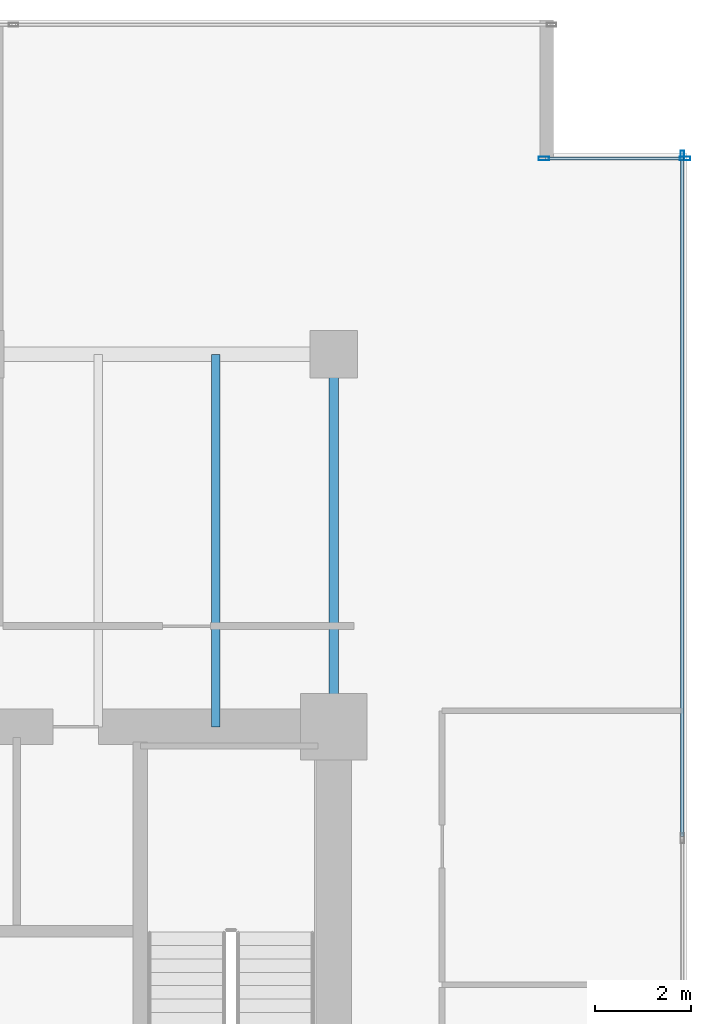
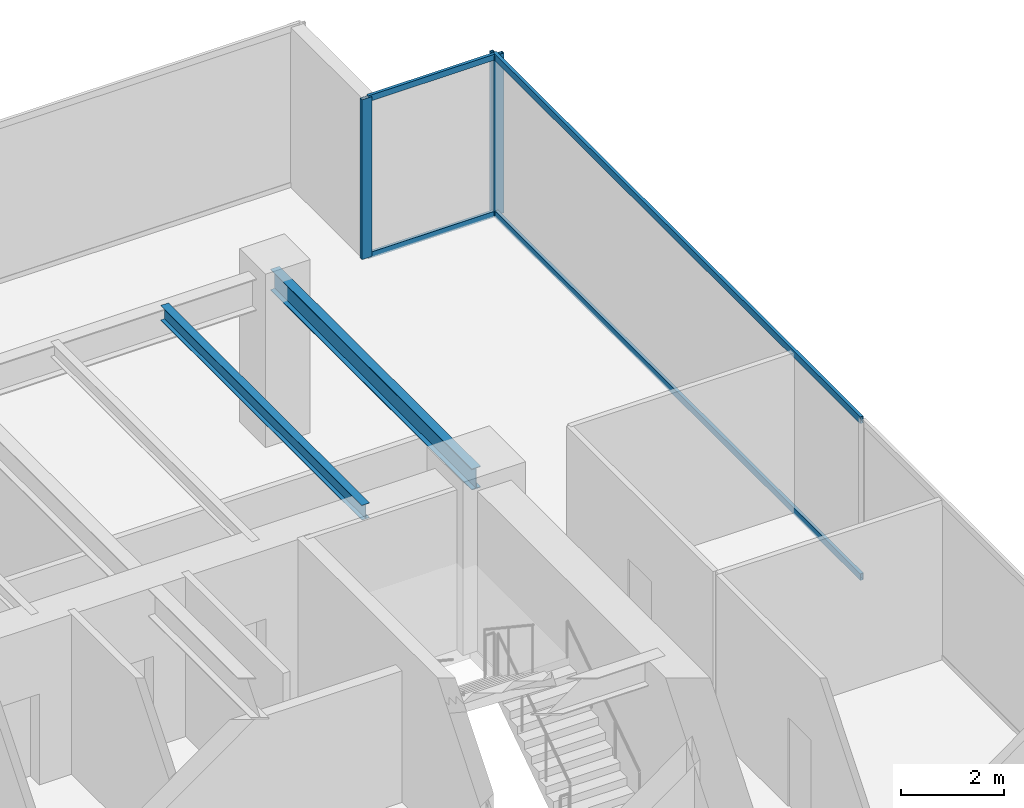
# One storey, part 26 of 35: 7 members, 2 beams, 2 elements without a shape of their own.
"""IFC4 building model written with IfcOpenShell, lengths in metres."""

import ifcopenshell
import ifcopenshell.guid

model = None  # the IFC model being written
_history = None  # IfcOwnerHistory: only IFC2X3 demands one
_inside = {}  # id of a spatial element -> (the spatial element, [elements in it])
_under = {}  # id of a project, library or spatial element -> (it, [spatial elements below it])
_declared = {}  # id of a project -> (the project, [libraries it declares])
_typed = {}  # id of a type object -> (the type object, [elements of that type])
_made_of = {}  # id of a material, layer set ... -> (it, [elements and type objects made of it])


def new_model(schema):
    """Start an empty IFC model of exactly this schema.

    Asked for "IFC4X3", IfcOpenShell would pick the latest addendum, in which some entities
    have other attributes; the version numbers below select the first issue.
    IFC2X3 requires an IfcOwnerHistory on every rooted entity: one is made here for all.
    """
    global model, _history
    if schema == "IFC4X3":
        model = ifcopenshell.file(schema_version=(4, 3, 0, 0))
    else:
        model = ifcopenshell.file(schema=schema)
    _inside.clear()
    _under.clear()
    _declared.clear()
    _typed.clear()
    _made_of.clear()
    _history = None
    if model.schema == "IFC2X3":
        org = make("IfcOrganization", Name="unknown")
        user = make(
            "IfcPersonAndOrganization",
            ThePerson=make("IfcPerson", FamilyName="unknown"),
            TheOrganization=org,
        )
        app = make(
            "IfcApplication",
            ApplicationDeveloper=org,
            Version="unknown",
            ApplicationFullName="unknown",
            ApplicationIdentifier="unknown",
        )
        _history = make(
            "IfcOwnerHistory",
            OwningUser=user,
            OwningApplication=app,
            ChangeAction="ADDED",
            CreationDate=0,
        )
    return model


def make(cls, **values):
    """One entity of the class cls with the attributes given. An attribute that is None is left unset."""
    return model.create_entity(
        cls, **{name: value for name, value in values.items() if value is not None}
    )


def rooted(cls, **values):
    """An entity with a GlobalId (a new one), such as an element, a storey or a relation."""
    return make(cls, GlobalId=ifcopenshell.guid.new(), OwnerHistory=_history, **values)


def si_unit(unit_type, name, prefix=None):
    """IfcSIUnit, for example si_unit("LENGTHUNIT", "METRE", prefix="MILLI")."""
    return make("IfcSIUnit", UnitType=unit_type, Prefix=prefix, Name=name)


def assignment(units):
    """IfcUnitAssignment: the units of a project."""
    return None if units is None else make("IfcUnitAssignment", Units=units)


def point(xyz):
    """IfcCartesianPoint."""
    return None if xyz is None else make("IfcCartesianPoint", Coordinates=xyz)


def direction(xyz):
    """IfcDirection."""
    return None if xyz is None else make("IfcDirection", DirectionRatios=xyz)


def frame(location, z_axis=None, x_axis=None):
    """IfcAxis2Placement3D, a coordinate frame: its origin and axes. An axis left out is left unset."""
    return make(
        "IfcAxis2Placement3D",
        Location=point(location),
        Axis=direction(z_axis),
        RefDirection=direction(x_axis),
    )


def frame_2d(location, x_axis=None):
    """IfcAxis2Placement2D, a coordinate frame in the plane: its origin and x axis."""
    return make(
        "IfcAxis2Placement2D", Location=point(location), RefDirection=direction(x_axis)
    )


def origin():
    """The frame at (0, 0, 0) with its axes left unset."""
    return frame((0.0, 0.0, 0.0))


def origin_2d():
    """The frame at (0, 0) in the plane with its x axis left unset."""
    return frame_2d((0.0, 0.0))


def place(relative_to, where):
    """IfcLocalPlacement: puts the frame where relative to a parent placement (None: the world)."""
    return make(
        "IfcLocalPlacement", PlacementRelTo=relative_to, RelativePlacement=where
    )


def context(
    kind, dimensions, precision=None, world=None, true_north=None, identifier=None
):
    """IfcGeometricRepresentationContext, for example the 3D "Model" context."""
    return make(
        "IfcGeometricRepresentationContext",
        ContextIdentifier=identifier,
        ContextType=kind,
        CoordinateSpaceDimension=dimensions,
        Precision=precision,
        WorldCoordinateSystem=world,
        TrueNorth=true_north,
    )


def subcontext(parent, identifier, kind, view, scale=None):
    """IfcGeometricRepresentationSubContext, for example "Body" below "Model"."""
    return make(
        "IfcGeometricRepresentationSubContext",
        ContextIdentifier=identifier,
        ContextType=kind,
        ParentContext=parent,
        TargetScale=scale,
        TargetView=view,
    )


def project(units=None, contexts=None):
    """IfcProject with its units and contexts."""
    return rooted(
        "IfcProject",
        Name="project",
        RepresentationContexts=contexts,
        UnitsInContext=assignment(units),
    )


def spatial(cls, under=None, at=None, **own):
    """A site, building, storey or space (cls), placed at a placement, below another one or the project."""
    s = rooted(cls, ObjectPlacement=at, **own)
    if under is not None:
        _under.setdefault(under.id(), (under, []))[1].append(s)
    return s


def profile(cls, at=None, kind="AREA", **sizes):
    """A parametric profile (cls). Its sizes go by their IFC names, for example OverallWidth=200.0."""
    return make(cls, ProfileType=kind, Position=at, **sizes)


def hollow_rectangle(**sizes):
    """IfcRectangleHollowProfileDef."""
    return profile("IfcRectangleHollowProfileDef", **sizes)


def i_section(**sizes):
    """IfcIShapeProfileDef."""
    return profile("IfcIShapeProfileDef", **sizes)


def extrude(swept, where, along, depth):
    """IfcExtrudedAreaSolid: the profile swept, set in the frame where, extruded along a direction by depth."""
    return make(
        "IfcExtrudedAreaSolid",
        SweptArea=swept,
        Position=where,
        ExtrudedDirection=direction(along),
        Depth=depth,
    )


def shape(context_of_items, identifier, shape_type, items):
    """IfcShapeRepresentation: the items that make up one representation, for example the "Body"."""
    return make(
        "IfcShapeRepresentation",
        ContextOfItems=context_of_items,
        RepresentationIdentifier=identifier,
        RepresentationType=shape_type,
        Items=items,
    )


def source(mapping_origin, context_of_items, identifier, shape_type, items):
    """IfcRepresentationMap: a shape defined once, which mapped items show again and again."""
    return make(
        "IfcRepresentationMap",
        MappingOrigin=mapping_origin,
        MappedRepresentation=shape(context_of_items, identifier, shape_type, items),
    )


def transform(
    local_origin,
    x_axis=None,
    y_axis=None,
    z_axis=None,
    scale=None,
    scale2=None,
    scale3=None,
    uniform=True,
):
    """IfcCartesianTransformationOperator3D, or its non-uniform kind. x_axis, y_axis, z_axis: its Axis1, 2, 3."""
    if uniform:
        return make(
            "IfcCartesianTransformationOperator3D",
            Axis1=direction(x_axis),
            Axis2=direction(y_axis),
            LocalOrigin=point(local_origin),
            Scale=scale,
            Axis3=direction(z_axis),
        )
    return make(
        "IfcCartesianTransformationOperator3DnonUniform",
        Axis1=direction(x_axis),
        Axis2=direction(y_axis),
        LocalOrigin=point(local_origin),
        Scale=scale,
        Axis3=direction(z_axis),
        Scale2=scale2,
        Scale3=scale3,
    )


def mapped(mapping_source, mapping_target):
    """IfcMappedItem: shows the shape of a source again, moved by a transform."""
    return make(
        "IfcMappedItem", MappingSource=mapping_source, MappingTarget=mapping_target
    )


def material(Name=None, Category=None):
    """IfcMaterial."""
    return make("IfcMaterial", Name=Name, Category=Category)


def layer(
    of_material, thickness, ventilated=None, Name=None, Category=None, Priority=None
):
    """IfcMaterialLayer: one layer of a wall or slab, of a material (None: an air gap)."""
    return make(
        "IfcMaterialLayer",
        Material=of_material,
        LayerThickness=thickness,
        IsVentilated=ventilated,
        Name=Name,
        Category=Category,
        Priority=Priority,
    )


def layer_set(layers, Name=None):
    """IfcMaterialLayerSet."""
    return make("IfcMaterialLayerSet", MaterialLayers=layers, LayerSetName=Name)


def material_profile(
    of_material, cross_section, Name=None, Category=None, Priority=None
):
    """IfcMaterialProfile: a cross section and its material."""
    return make(
        "IfcMaterialProfile",
        Name=Name,
        Material=of_material,
        Profile=cross_section,
        Priority=Priority,
        Category=Category,
    )


def profile_set(profiles, Name=None, composite=None):
    """IfcMaterialProfileSet."""
    return make(
        "IfcMaterialProfileSet",
        Name=Name,
        MaterialProfiles=profiles,
        CompositeProfile=composite,
    )


def made_of(thing, what):
    """Note that an element or type object is made of a material, layer set ...; save() writes the relation."""
    if what is not None:
        _made_of.setdefault(what.id(), (what, []))[1].append(thing)
    return thing


def type_object(cls, material=None, **own):
    """A type object (cls), such as IfcWallType, which elements share."""
    return made_of(rooted(cls, **own), material)


def type_shapes(of_type, sources):
    """Give a type object the sources (RepresentationMaps) that its elements show as mapped items."""
    of_type.RepresentationMaps = sources


def element(
    cls,
    number,
    at=None,
    inside=None,
    cuts=None,
    type_object=None,
    material=None,
    context=None,
    identifier="Body",
    shape_type=None,
    held_by="IfcProductDefinitionShape",
    body=None,
    shapes=None,
    **own,
):
    """One element of the class cls, such as IfcWall. Its Tag is "e" and its number.

    at: its placement. inside: the storey or other place that contains it. cuts: it is an
    opening in that element (IfcRelVoidsElement). A single representation is given by context,
    identifier, shape_type and body (its items); several are given by shapes. held_by: the class
    of the entity that holds the representations. save() writes the other relations.
    """
    e = rooted(cls, Tag="e%d" % number, ObjectPlacement=at, **own)
    if body is not None:
        shapes = [shape(context, identifier, shape_type, body)]
    if shapes is not None:
        e.Representation = make(held_by, Representations=shapes)
    if inside is not None:
        _inside.setdefault(inside.id(), (inside, []))[1].append(e)
    if cuts is not None:
        rooted(
            "IfcRelVoidsElement", RelatingBuildingElement=cuts, RelatedOpeningElement=e
        )
    if type_object is not None:
        _typed.setdefault(type_object.id(), (type_object, []))[1].append(e)
    return made_of(e, material)


def aggregate(whole, parts):
    """IfcRelAggregates: a whole, such as a stair, and the parts it consists of."""
    return rooted("IfcRelAggregates", RelatingObject=whole, RelatedObjects=parts)


def save(model, path):
    """Write the relations noted so far, then the file.

    IfcRelAggregates (storeys below a building ...), IfcRelContainedInSpatialStructure (elements
    in a storey), IfcRelDefinesByType, IfcRelAssociatesMaterial and IfcRelDeclares: one each for
    every whole, place, type object, material and project.
    """
    for whole, parts in _under.values():
        aggregate(whole, parts)
    for where, things in _inside.values():
        rooted(
            "IfcRelContainedInSpatialStructure",
            RelatedElements=things,
            RelatingStructure=where,
        )
    for kind, things in _typed.values():
        rooted("IfcRelDefinesByType", RelatedObjects=things, RelatingType=kind)
    for what, things in _made_of.values():
        rooted("IfcRelAssociatesMaterial", RelatedObjects=things, RelatingMaterial=what)
    for by, libraries in _declared.values():
        rooted("IfcRelDeclares", RelatingContext=by, RelatedDefinitions=libraries)
    model.write(path)


model = new_model("IFC4")

# Units and contexts
model_context = context("Model", 3, precision=1e-05, world=origin(), true_north=direction((0.0, 1.0)))
body_context = subcontext(model_context, "Body", "Model", "MODEL_VIEW")
ifc_project = project(units=[si_unit("LENGTHUNIT", "METRE"), si_unit("AREAUNIT", "SQUARE_METRE"), si_unit("VOLUMEUNIT", "CUBIC_METRE"), si_unit("PLANEANGLEUNIT", "RADIAN"), si_unit("MASSUNIT", "GRAM", prefix="KILO")], contexts=[model_context])

# Site, building, storey
site_placement = place(None, origin())
site = spatial("IfcSite", under=ifc_project, at=site_placement, CompositionType="ELEMENT")
building_placement = place(site_placement, origin())
building = spatial("IfcBuilding", under=site, at=building_placement, Name="Haelvirn Gate Laboratories", CompositionType="ELEMENT")
storey_placement = place(building_placement, frame((0.0, 0.0, 66.199951171875)))
storey = spatial("IfcBuildingStorey", under=building, at=storey_placement, Name="L16", CompositionType="ELEMENT", Elevation=66.199951171875)

# Beams
ifc_material_1 = material(Name="Steel SM355", Category="steel")
ifc_material_profile_1 = material_profile(ifc_material_1, i_section(OverallWidth=0.199951171875, OverallDepth=0.5, WebThickness=0.010009765625, FlangeThickness=0.01611328125, at=origin_2d()), Name="H-500x200x10x16")
ifc_profile_set_1 = profile_set([ifc_material_profile_1], Name="Steel SM355")
beam_type_1 = type_object("IfcBeamType", Name="BM-SP-500", PredefinedType="SPANDREL", material=ifc_profile_set_1)
shared_shape_1 = source(origin(), body_context, "Body", "SweptSolid", [
    extrude(i_section(OverallWidth=0.199951171875, OverallDepth=0.5, WebThickness=0.010009765625, FlangeThickness=0.01611328125, at=origin_2d()), origin(), (0.0, 0.0, 1.0), 7.800048828125),
])
type_shapes(beam_type_1, [shared_shape_1])
beam_1_placement = place(storey_placement, frame((67.39990234375, 33.800048828125, 3.530029296875), z_axis=(0.0, 1.0, 0.0), x_axis=(-1.0, 0.0, 0.0)))
element("IfcBeam", 1, at=beam_1_placement, inside=storey, type_object=beam_type_1, Name="L16 Perimeter Spandrel X67.4 (33.8-41.6)", PredefinedType="SPANDREL", context=body_context, shape_type="MappedRepresentation", body=[
    mapped(shared_shape_1, transform((0.0, 0.0, 0.0), scale=1.0)),
])
ifc_material_profile_2 = material_profile(ifc_material_1, i_section(OverallWidth=0.175048828125, OverallDepth=0.35009765625, WebThickness=0.007080078125, FlangeThickness=0.010986328125, at=origin_2d()), Name="H-350x175x7x11")
ifc_profile_set_2 = profile_set([ifc_material_profile_2], Name="Steel SM355")
beam_type_2 = type_object("IfcBeamType", Name="BM-J-350", PredefinedType="JOIST", material=ifc_profile_set_2)
shared_shape_2 = source(origin(), body_context, "Body", "SweptSolid", [
    extrude(i_section(OverallWidth=0.175048828125, OverallDepth=0.35009765625, WebThickness=0.007080078125, FlangeThickness=0.010986328125, at=origin_2d()), origin(), (0.0, 0.0, 1.0), 7.800048828125),
])
type_shapes(beam_type_2, [shared_shape_2])
beam_2_placement = place(storey_placement, frame((64.929931640625, 33.800048828125, 3.60498046875), z_axis=(0.0, 1.0, 0.0), x_axis=(-1.0, 0.0, 0.0)))
element("IfcBeam", 2, at=beam_2_placement, inside=storey, type_object=beam_type_2, Name="L16 Composite Lab Joist North X64.93", PredefinedType="JOIST", context=body_context, shape_type="MappedRepresentation", body=[
    mapped(shared_shape_2, transform((0.0, 0.0, 0.0), scale=1.0)),
])

# Curtain wall, member
ifc_material_2 = material(Name="Anodised bronze unitised aluminium & triple low-E glass", Category="aluminium")
ifc_layer_1 = layer(ifc_material_2, 0.18408203125, Name="CW-SYS-2")
ifc_layer_set_1 = layer_set([ifc_layer_1], Name="Anodised bronze unitised aluminium & triple low-E glass")
curtain_wall_type_1 = type_object("IfcCurtainWallType", Name="CW-SYS-2", PredefinedType="NOTDEFINED", material=ifc_layer_set_1)
curtain_wall_1_placement = place(storey_placement, origin())
curtain_wall_1 = element("IfcCurtainWall", 3, at=curtain_wall_1_placement, inside=storey, type_object=curtain_wall_type_1, Name="L16 Unitised Curtain Wall CW-L16-P0-E07", PredefinedType="NOTDEFINED")
ifc_material_3 = material(Name="Extruded aluminium 6063-T6 (anodised bronze)", Category="aluminium")
ifc_material_profile_3 = material_profile(ifc_material_3, hollow_rectangle(XDim=0.074951171875, YDim=0.199951171875, WallThickness=0.0048828125, at=origin_2d()), Name="CWM-200x75x5")
ifc_profile_set_3 = profile_set([ifc_material_profile_3], Name="Extruded aluminium 6063-T6 (anodised bronze)")
member_type_1 = type_object("IfcMemberType", Name="CWM-T200", PredefinedType="MULLION", material=ifc_profile_set_3)
shared_shape_3 = source(origin(), body_context, "Body", "SweptSolid", [
    extrude(hollow_rectangle(XDim=0.074951171875, YDim=0.199951171875, WallThickness=0.0048828125, at=origin_2d()), origin(), (0.0, 0.0, 1.0), 3.780029296875),
])
type_shapes(member_type_1, [shared_shape_3])
member_1_placement = place(storey_placement, frame((74.699951171875, 45.762451171875, 0.0), z_axis=(0.0, 0.0, 1.0), x_axis=(-1.0, 0.0, 0.0)))
member_1 = element("IfcMember", 4, at=member_1_placement, type_object=member_type_1, Name="CW2 mullion 4", PredefinedType="MULLION", context=body_context, shape_type="MappedRepresentation", body=[
    mapped(shared_shape_3, transform((0.0, 0.0, 0.0), scale=1.0)),
])

# Curtain wall, members
ifc_layer_2 = layer(ifc_material_2, 0.181884765625, Name="CW-SYS-5")
ifc_layer_set_2 = layer_set([ifc_layer_2], Name="Anodised bronze unitised aluminium & triple low-E glass")
curtain_wall_type_2 = type_object("IfcCurtainWallType", Name="CW-SYS-5", PredefinedType="NOTDEFINED", material=ifc_layer_set_2)
curtain_wall_2_placement = place(storey_placement, origin())
curtain_wall_2 = element("IfcCurtainWall", 5, at=curtain_wall_2_placement, inside=storey, type_object=curtain_wall_type_2, Name="L16 Unitised Curtain Wall CW-L16-P0-E08-1", PredefinedType="NOTDEFINED")
ifc_material_profile_4 = material_profile(ifc_material_3, hollow_rectangle(XDim=0.080078125, YDim=0.219970703125, WallThickness=0.006103515625, at=origin_2d()), Name="CWM-220x80x6")
ifc_profile_set_4 = profile_set([ifc_material_profile_4], Name="Extruded aluminium 6063-T6 (anodised bronze)")
member_type_2 = type_object("IfcMemberType", Name="CWM-T220", PredefinedType="MULLION", material=ifc_profile_set_4)
shared_shape_4 = source(origin(), body_context, "Body", "SweptSolid", [
    extrude(hollow_rectangle(XDim=0.080078125, YDim=0.219970703125, WallThickness=0.006103515625, at=origin_2d()), origin(), (0.0, 0.0, 1.0), 3.780029296875),
])
type_shapes(member_type_2, [shared_shape_4])
member_2_placement = place(storey_placement, frame((71.800048828125, 45.699951171875, 0.0), z_axis=(0.0, 0.0, 1.0), x_axis=(0.0, 1.0, 0.0)))
member_2 = element("IfcMember", 6, at=member_2_placement, type_object=member_type_2, Name="CW5 mullion 1", PredefinedType="MULLION", context=body_context, shape_type="MappedRepresentation", body=[
    mapped(shared_shape_4, transform((0.0, 0.0, 0.0), scale=1.0)),
])
member_3_placement = place(storey_placement, frame((74.760009765625, 45.699951171875, 0.0), z_axis=(0.0, 0.0, 1.0), x_axis=(0.0, 1.0, 0.0)))
member_3 = element("IfcMember", 7, at=member_3_placement, type_object=member_type_2, Name="CW5 mullion 2", PredefinedType="MULLION", context=body_context, shape_type="MappedRepresentation", body=[
    mapped(shared_shape_4, transform((0.0, 0.0, 0.0), scale=1.0)),
])
ifc_material_profile_5 = material_profile(ifc_material_3, hollow_rectangle(XDim=0.06494140625, YDim=0.139892578125, WallThickness=0.00390625, at=origin_2d()), Name="CWT-140x65x4")
ifc_profile_set_5 = profile_set([ifc_material_profile_5], Name="Extruded aluminium 6063-T6 (anodised bronze)")
member_type_3 = type_object("IfcMemberType", Name="CWT-T140", PredefinedType="USERDEFINED", material=ifc_profile_set_5)
shared_shape_5 = source(origin(), body_context, "Body", "SweptSolid", [
    extrude(hollow_rectangle(XDim=0.06494140625, YDim=0.139892578125, WallThickness=0.00390625, at=origin_2d()), origin(), (0.0, 0.0, 1.0), 2.8798828125),
])
type_shapes(member_type_3, [shared_shape_5])
member_4_placement = place(storey_placement, frame((71.840087890625, 45.699951171875, 0.032470703125), z_axis=(1.0, 0.0, 0.0), x_axis=(0.0, 1.0, 0.0)))
member_4 = element("IfcMember", 8, at=member_4_placement, type_object=member_type_3, Name="CW5 transom 1.1", ObjectType="TRANSOM", PredefinedType="USERDEFINED", context=body_context, shape_type="MappedRepresentation", body=[
    mapped(shared_shape_5, transform((0.0, 0.0, 0.0), scale=1.0)),
])
member_5_placement = place(storey_placement, frame((71.840087890625, 45.699951171875, 3.74755859375), z_axis=(1.0, 0.0, 0.0), x_axis=(0.0, 1.0, 0.0)))
member_5 = element("IfcMember", 9, at=member_5_placement, type_object=member_type_3, Name="CW5 transom 1.2", ObjectType="TRANSOM", PredefinedType="USERDEFINED", context=body_context, shape_type="MappedRepresentation", body=[
    mapped(shared_shape_5, transform((0.0, 0.0, 0.0), scale=1.0)),
])
aggregate(curtain_wall_2, [member_2, member_3, member_4, member_5])

# Member
ifc_material_profile_6 = material_profile(ifc_material_3, hollow_rectangle(XDim=0.070068359375, YDim=0.159912109375, WallThickness=0.0048828125, at=origin_2d()), Name="CWT-160x70x5")
ifc_profile_set_6 = profile_set([ifc_material_profile_6], Name="Extruded aluminium 6063-T6 (anodised bronze)")
member_type_4 = type_object("IfcMemberType", Name="CWT-T160", PredefinedType="USERDEFINED", material=ifc_profile_set_6)
shared_shape_6 = source(origin(), body_context, "Body", "SweptSolid", [
    extrude(hollow_rectangle(XDim=0.070068359375, YDim=0.159912109375, WallThickness=0.0048828125, at=origin_2d()), origin(), (0.0, 0.0, 1.0), 14.220947265625),
])
type_shapes(member_type_4, [shared_shape_6])
member_6_placement = place(storey_placement, frame((74.699951171875, 31.504150390625, 0.03515625), z_axis=(0.0, 1.0, 0.0), x_axis=(-1.0, 0.0, 0.0)))
member_6 = element("IfcMember", 10, at=member_6_placement, type_object=member_type_4, Name="CW2 transom 3.1", ObjectType="TRANSOM", PredefinedType="USERDEFINED", context=body_context, shape_type="MappedRepresentation", body=[
    mapped(shared_shape_6, transform((0.0, 0.0, 0.0), scale=1.0)),
])

member_7_placement = place(storey_placement, frame((74.699951171875, 31.504150390625, 3.7451171875), z_axis=(0.0, 1.0, 0.0), x_axis=(-1.0, 0.0, 0.0)))
member_7 = element("IfcMember", 11, at=member_7_placement, type_object=member_type_4, Name="CW2 transom 3.2", ObjectType="TRANSOM", PredefinedType="USERDEFINED", context=body_context, shape_type="MappedRepresentation", body=[
    mapped(shared_shape_6, transform((0.0, 0.0, 0.0), scale=1.0)),
])

aggregate(curtain_wall_1, [member_1, member_6, member_7])

save(model, "model.ifc")
